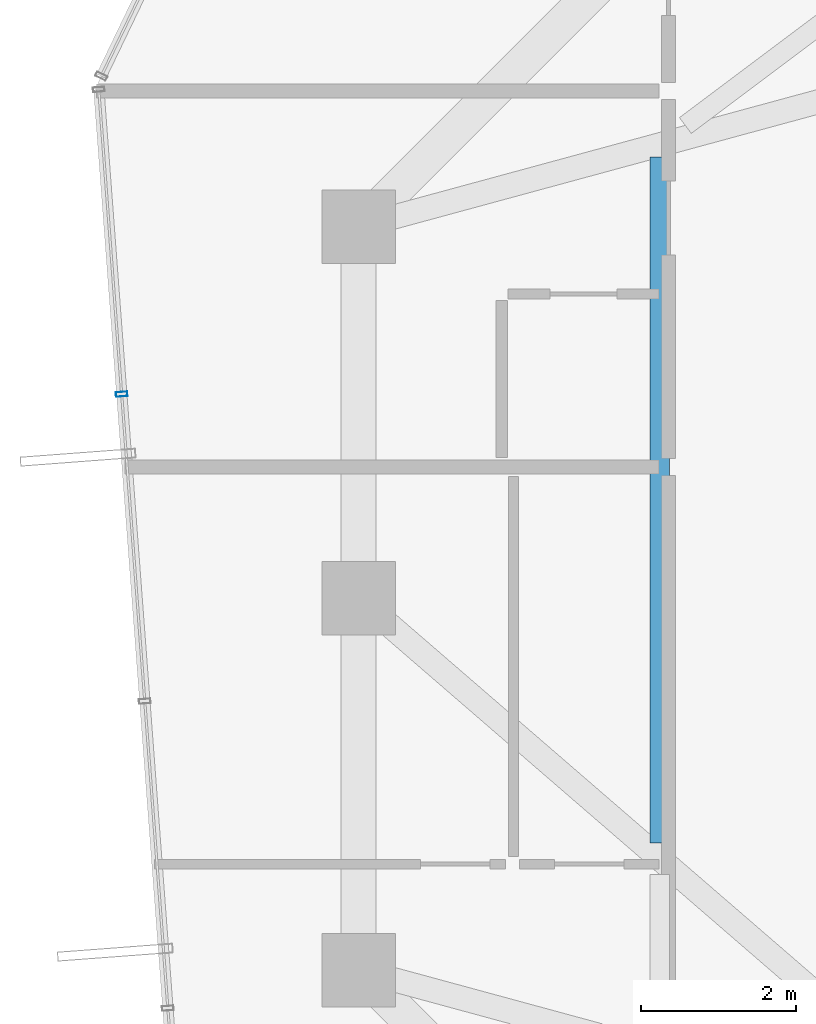
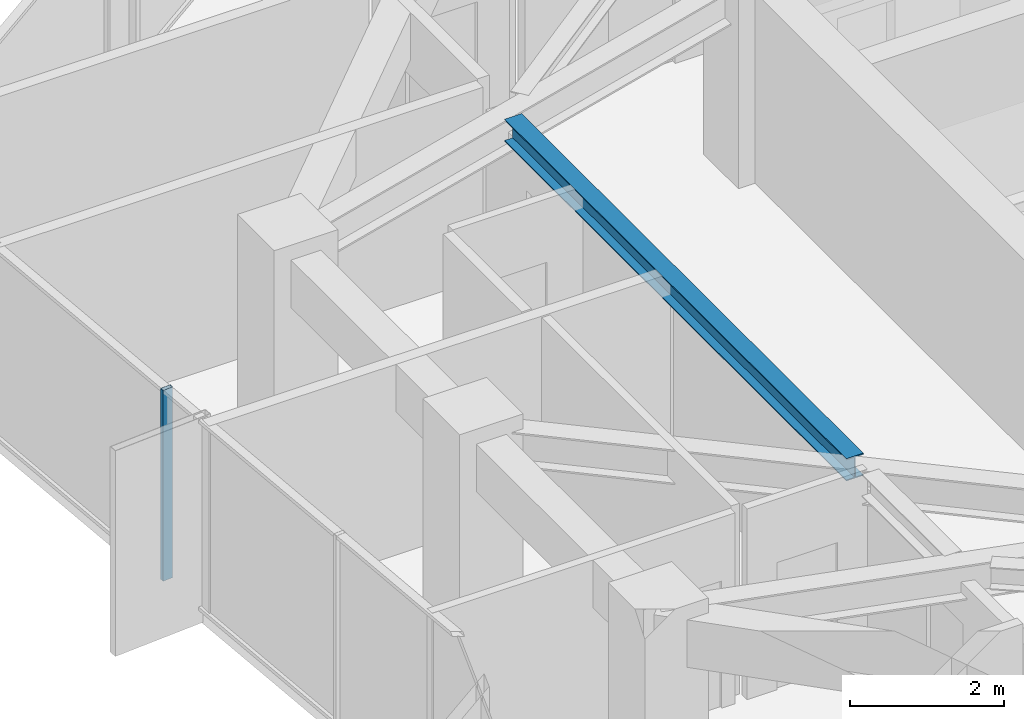
# One storey, part 14 of 34: 1 beam, 1 member, 1 element without a shape of its own.
"""IFC4 building model written with IfcOpenShell, lengths in metres."""

from ifc_helpers import new_model, si_unit, direction, frame, origin, origin_2d, place, context, subcontext, project, spatial, hollow_rectangle, i_section, extrude, source, transform, mapped, material, layer, layer_set, material_profile, profile_set, type_object, element, aggregate, save


model = new_model("IFC4")

# Units and contexts
model_context = context("Model", 3, precision=1e-05, world=origin(), true_north=direction((0.0, 1.0)))
body_context = subcontext(model_context, "Body", "Model", "MODEL_VIEW")
ifc_project = project(units=[si_unit("LENGTHUNIT", "METRE"), si_unit("AREAUNIT", "SQUARE_METRE"), si_unit("VOLUMEUNIT", "CUBIC_METRE"), si_unit("PLANEANGLEUNIT", "RADIAN"), si_unit("MASSUNIT", "GRAM", prefix="KILO")], contexts=[model_context])

# Site, building, storey
site_placement = place(None, origin())
site = spatial("IfcSite", under=ifc_project, at=site_placement, CompositionType="ELEMENT")
building_placement = place(site_placement, origin())
building = spatial("IfcBuilding", under=site, at=building_placement, Name="Veraguas Prism Commons", CompositionType="ELEMENT")
storey_placement = place(building_placement, frame((0.0, 0.0, 191.85009765625)))
storey = spatial("IfcBuildingStorey", under=building, at=storey_placement, Name="L54", CompositionType="ELEMENT", Elevation=191.85009765625)

# Beam
ifc_material_1 = material(Name="Steel ASTM A992 Grade 50", Category="steel")
ifc_material_profile_1 = material_profile(ifc_material_1, i_section(OverallWidth=0.25390625, OverallDepth=0.35302734375, WebThickness=0.009521484375, FlangeThickness=0.016357421875, at=origin_2d()), Name="W360X91")
ifc_profile_set_1 = profile_set([ifc_material_profile_1], Name="Steel ASTM A992 Grade 50")
beam_type = type_object("IfcBeamType", Name="Upper Floor Joist W360x91", PredefinedType="JOIST", material=ifc_profile_set_1)
beam_placement = place(storey_placement, frame((12.988037109375, 29.697021484375, 2.83837890625), z_axis=(0.0, -1.0, 0.0), x_axis=(1.0, 0.0, 0.0)))
element("IfcBeam", 1, at=beam_placement, inside=storey, type_object=beam_type, Name="Composite Floor Joist L54-JS07", PredefinedType="JOIST", context=body_context, shape_type="SweptSolid", body=[
    extrude(i_section(OverallWidth=0.25390625, OverallDepth=0.35302734375, WebThickness=0.009521484375, FlangeThickness=0.016357421875, at=origin_2d()), origin(), (0.0, 0.0, 1.0), 8.85400390625),
])

# Curtain wall, member
ifc_material_2 = material(Name="Anodised aluminium EN AW-6063 T6", Category="aluminium")
ifc_layer = layer(ifc_material_2, 0.14990234375, Name="Unitised Flush Curtain Wall Zone 3", Category="aluminium")
ifc_layer_set = layer_set([ifc_layer], Name="Anodised aluminium EN AW-6063 T6")
curtain_wall_type = type_object("IfcCurtainWallType", Name="Unitised Flush Curtain Wall Zone 3", PredefinedType="NOTDEFINED", material=ifc_layer_set)
curtain_wall_placement = place(storey_placement, origin())
curtain_wall = element("IfcCurtainWall", 2, at=curtain_wall_placement, inside=storey, type_object=curtain_wall_type, Name="Tower Facade Curtain Wall L54-F3", PredefinedType="NOTDEFINED")
ifc_material_profile_2 = material_profile(ifc_material_2, hollow_rectangle(XDim=0.06005859375, YDim=0.14990234375, WallThickness=0.0029296875, at=origin_2d()), Name="AL60X150X3")
ifc_profile_set_2 = profile_set([ifc_material_profile_2], Name="Anodised aluminium EN AW-6063 T6")
member_type = type_object("IfcMemberType", Name="Curtain Wall Mullion Upper AL 60x150x3", PredefinedType="MULLION", material=ifc_profile_set_2)
shared_shape = source(origin(), body_context, "Body", "SweptSolid", [
    extrude(hollow_rectangle(XDim=0.06005859375, YDim=0.14990234375, WallThickness=0.0029296875, at=origin_2d()), origin(), (0.0, 0.0, 1.0), 3.014892578125),
])
member_placement = place(storey_placement, frame((6.04150390625, 26.636474609375, 0.0), z_axis=(0.0, 0.0, 1.0), x_axis=(0.074975245993, -0.997185395244, 0.0)))
member = element("IfcMember", 3, at=member_placement, type_object=member_type, Name="CW-Z3 Mullion 2", PredefinedType="MULLION", context=body_context, shape_type="MappedRepresentation", body=[
    mapped(shared_shape, transform((0.0, 0.0, 0.0), scale=1.0)),
])
aggregate(curtain_wall, [member])

save(model, "model.ifc")
